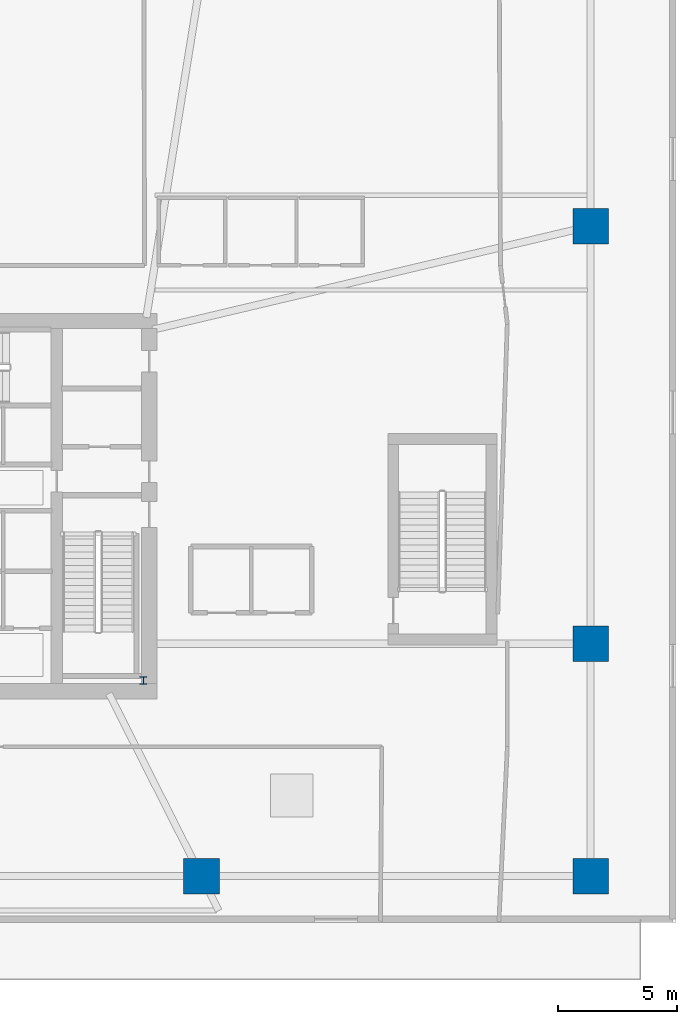
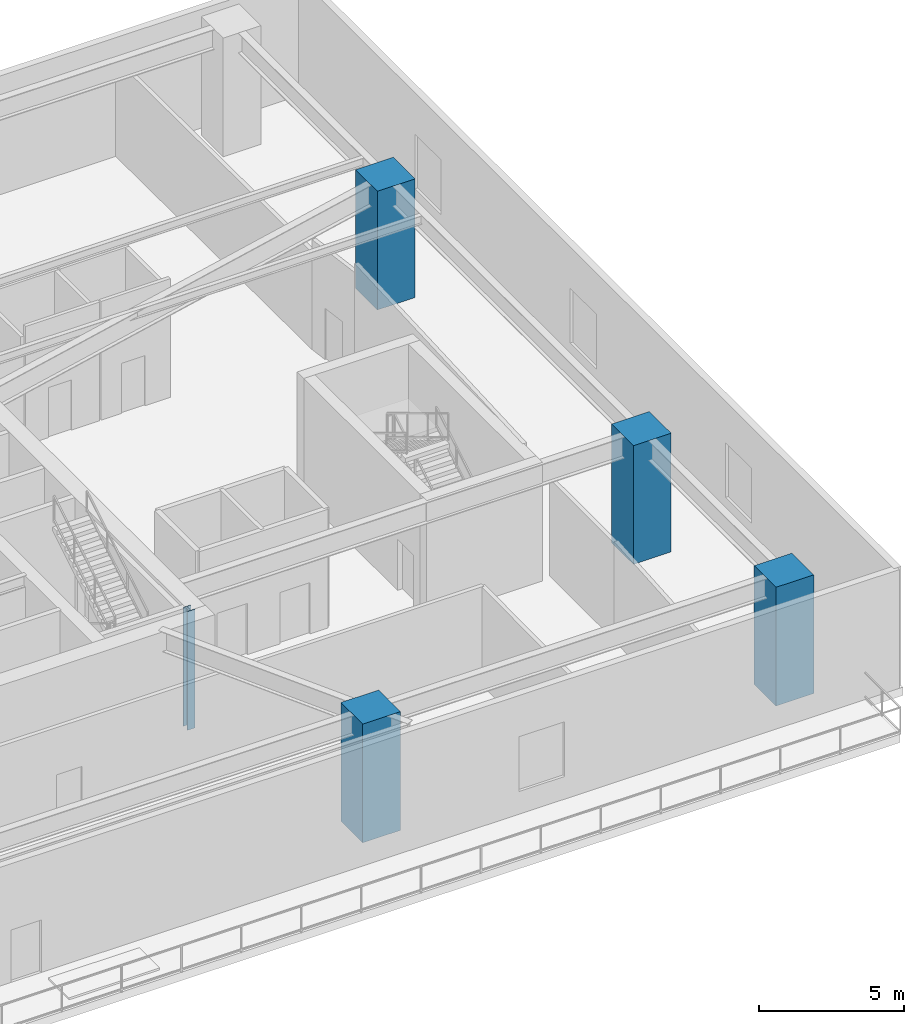
# One storey, part 2 of 11: 5 columns.
"""IFC4 building model written with IfcOpenShell, lengths in metres."""

from ifc_helpers import new_model, si_unit, direction, frame, origin, origin_2d, place, context, subcontext, project, spatial, rectangle, i_section, extrude, material, material_profile, profile_set, type_object, element, save


model = new_model("IFC4")

# Units and contexts
model_context = context("Model", 3, precision=1e-05, world=origin(), true_north=direction((0.0, 1.0)))
body_context = subcontext(model_context, "Body", "Model", "MODEL_VIEW")
ifc_project = project(units=[si_unit("LENGTHUNIT", "METRE"), si_unit("AREAUNIT", "SQUARE_METRE"), si_unit("VOLUMEUNIT", "CUBIC_METRE"), si_unit("PLANEANGLEUNIT", "RADIAN"), si_unit("MASSUNIT", "GRAM", prefix="KILO")], contexts=[model_context])

# Site, building, storey
site_placement = place(None, origin())
site = spatial("IfcSite", under=ifc_project, at=site_placement, CompositionType="ELEMENT")
building_placement = place(site_placement, origin())
building = spatial("IfcBuilding", under=site, at=building_placement, Name="Qarnah Convention Tower", CompositionType="ELEMENT")
storey_placement = place(building_placement, frame((0.0, 0.0, 16.199951171875)))
storey = spatial("IfcBuildingStorey", under=building, at=storey_placement, Name="L03", CompositionType="ELEMENT", Elevation=16.199951171875)

# Columns
ifc_material_1 = material(Name="Concrete C60/75", Category="concrete")
ifc_material_profile_1 = material_profile(ifc_material_1, rectangle(XDim=1.5, YDim=1.5, at=origin_2d()), Name="RC-COL-1500X1500")
ifc_profile_set_1 = profile_set([ifc_material_profile_1], Name="Concrete C60/75")
column_type_1 = type_object("IfcColumnType", Name="COL-MC1500", PredefinedType="COLUMN", material=ifc_profile_set_1)
for number, where, z_axis, x_axis, name in (
    (1, (49.800048828125, 10.800048828125, 0.0), (0.0, 0.0, 1.0), (1.0, 0.0, 0.0), "L03 plumb column MC-03"),
    (2, (66.199951171875, 10.800048828125, 0.0), (0.0, 0.0, 1.0), (1.0, 0.0, 0.0), "L03 plumb column MC-04"),
    (3, (66.199951171875, 20.60009765625, 0.0), (0.0, 0.0, 1.0), (1.0, 0.0, 0.0), "L03 plumb column MC-05"),
    (4, (66.199951171875, 38.199951171875, 0.0), (0.0, 0.0, 1.0), (1.0, 0.0, 0.0), "L03 plumb column MC-06"),
):
    element("IfcColumn", number, at=place(storey_placement, frame(where, z_axis=z_axis, x_axis=x_axis)), inside=storey, type_object=column_type_1, Name=name, PredefinedType="COLUMN", context=body_context, shape_type="SweptSolid", body=[
        extrude(rectangle(XDim=1.5, YDim=1.5, at=origin_2d()), origin(), (0.0, 0.0, 1.0), 4.97998046875),
    ])
ifc_material_2 = material(Name="Structural steel S355JR", Category="steel")
ifc_material_profile_2 = material_profile(ifc_material_2, i_section(OverallWidth=0.300048828125, OverallDepth=0.300048828125, WebThickness=0.010986328125, FlangeThickness=0.01904296875, at=origin_2d()), Name="HEB300")
ifc_profile_set_2 = profile_set([ifc_material_profile_2], Name="Structural steel S355JR")
column_type_2 = type_object("IfcColumnType", Name="PIL-SHF-300", PredefinedType="PILASTER", material=ifc_profile_set_2)
column_placement = place(storey_placement, frame((47.35009765625, 19.050048828125, 0.0), z_axis=(0.0, 0.0, 1.0), x_axis=(1.0, 0.0, 0.0)))
element("IfcColumn", 5, at=column_placement, inside=storey, type_object=column_type_2, Name="L03 core spine steel pilaster 2", PredefinedType="PILASTER", context=body_context, shape_type="SweptSolid", body=[
    extrude(i_section(OverallWidth=0.300048828125, OverallDepth=0.300048828125, WebThickness=0.010986328125, FlangeThickness=0.01904296875, at=origin_2d()), origin(), (0.0, 0.0, 1.0), 4.97998046875),
])

save(model, "model.ifc")
